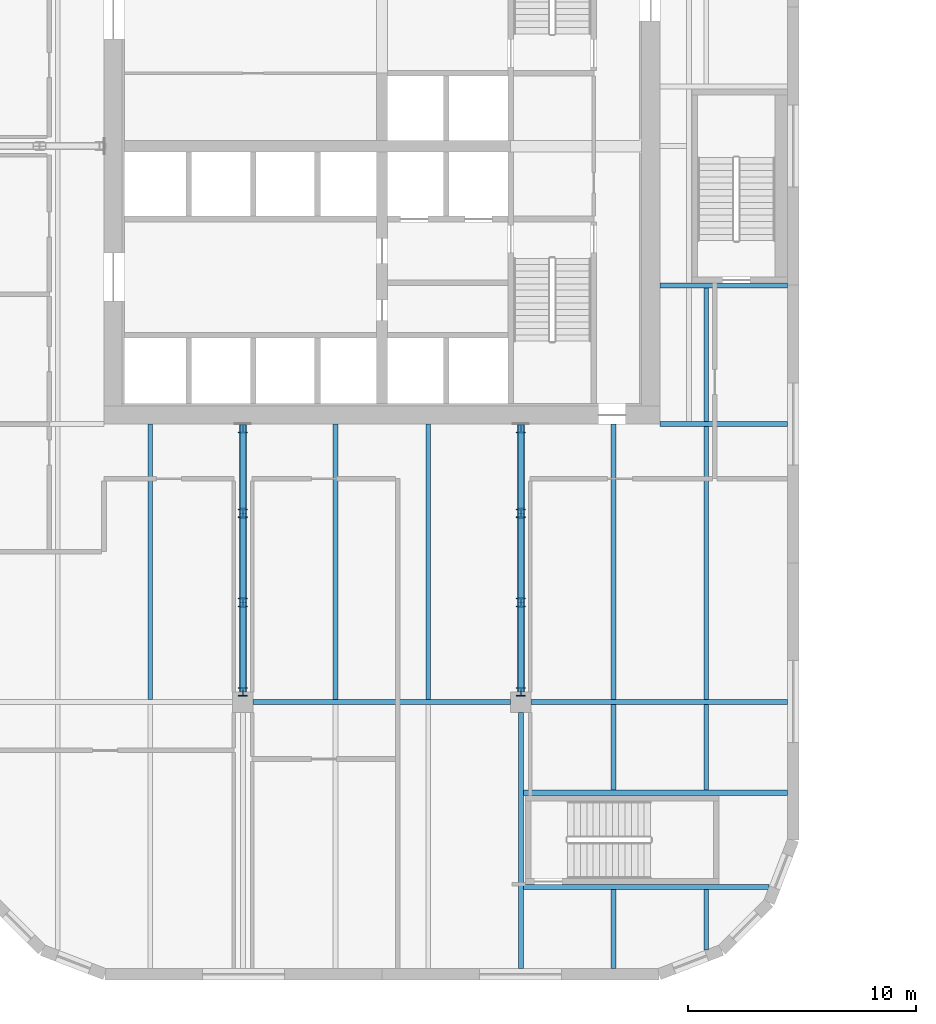
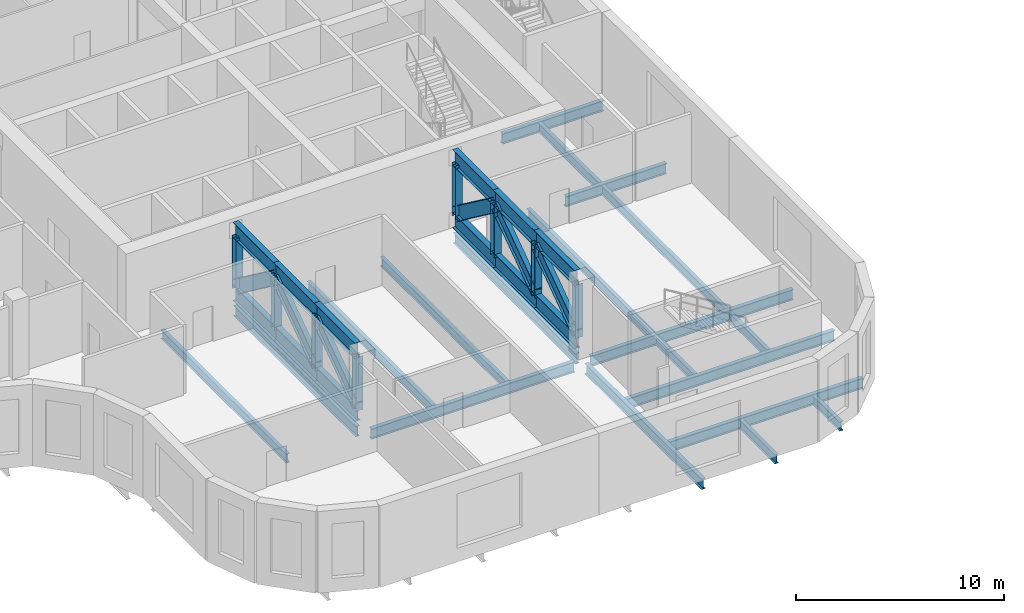
# One storey, part 2 of 21: 31 beams, 14 members.
"""IFC4 building model written with IfcOpenShell, lengths in metres."""

from ifc_helpers import new_model, si_unit, direction, frame, origin, origin_2d, place, context, subcontext, project, spatial, i_section, extrude, material, material_profile, profile_set, type_object, element, save


model = new_model("IFC4")

# Units and contexts
model_context = context("Model", 3, precision=1e-05, world=origin(), true_north=direction((0.0, 1.0)))
body_context = subcontext(model_context, "Body", "Model", "MODEL_VIEW")
ifc_project = project(units=[si_unit("LENGTHUNIT", "METRE"), si_unit("AREAUNIT", "SQUARE_METRE"), si_unit("VOLUMEUNIT", "CUBIC_METRE"), si_unit("PLANEANGLEUNIT", "RADIAN"), si_unit("MASSUNIT", "GRAM", prefix="KILO")], contexts=[model_context])

# Site, building, storey
site_placement = place(None, origin())
site = spatial("IfcSite", under=ifc_project, at=site_placement, CompositionType="ELEMENT")
building_placement = place(site_placement, origin())
building = spatial("IfcBuilding", under=site, at=building_placement, Name="Tessera Gate Towers", CompositionType="ELEMENT")
storey_placement = place(building_placement, frame((0.0, 0.0, 63.800048828125)))
storey = spatial("IfcBuildingStorey", under=building, at=storey_placement, Name="L15", CompositionType="ELEMENT", Elevation=63.800048828125)

# Beams
ifc_material_1 = material(Name="Steel 350W", Category="steel")
ifc_material_profile_1 = material_profile(ifc_material_1, i_section(OverallWidth=0.22900390625, OverallDepth=0.612060546875, WebThickness=0.011962890625, FlangeThickness=0.01953125, at=origin_2d()), Name="W610x125")
ifc_profile_set_1 = profile_set([ifc_material_profile_1], Name="Steel 350W")
beam_type_1 = type_object("IfcBeamType", Name="FLOOR GIRDER W610x125", PredefinedType="BEAM", material=ifc_profile_set_1)
beam_1_placement = place(storey_placement, frame((37.050048828125, 12.199951171875, -0.60595703125), z_axis=(1.0, 0.0, 0.0), x_axis=(0.0, 1.0, 0.0)))
element("IfcBeam", 1, at=beam_1_placement, inside=storey, type_object=beam_type_1, Name="T1-GD-L15-2110", PredefinedType="BEAM", context=body_context, shape_type="SweptSolid", body=[
    extrude(i_section(OverallWidth=0.22900390625, OverallDepth=0.612060546875, WebThickness=0.011962890625, FlangeThickness=0.01953125, at=origin_2d()), origin(), (0.0, 0.0, 1.0), 11.300048828125),
])
beam_2_placement = place(storey_placement, frame((49.25, 12.199951171875, -0.60595703125), z_axis=(1.0, 0.0, 0.0), x_axis=(0.0, 1.0, 0.0)))
element("IfcBeam", 2, at=beam_2_placement, inside=storey, type_object=beam_type_1, Name="T1-GD-L15-2111", PredefinedType="BEAM", context=body_context, shape_type="SweptSolid", body=[
    extrude(i_section(OverallWidth=0.22900390625, OverallDepth=0.612060546875, WebThickness=0.011962890625, FlangeThickness=0.01953125, at=origin_2d()), origin(), (0.0, 0.0, 1.0), 11.2509765625),
])
beam_3_placement = place(storey_placement, frame((54.90087890625, 24.39990234375, -0.60595703125), z_axis=(1.0, 0.0, 0.0), x_axis=(0.0, 1.0, 0.0)))
element("IfcBeam", 3, at=beam_3_placement, inside=storey, type_object=beam_type_1, Name="T1-GD-L15-2115", PredefinedType="BEAM", context=body_context, shape_type="SweptSolid", body=[
    extrude(i_section(OverallWidth=0.22900390625, OverallDepth=0.612060546875, WebThickness=0.011962890625, FlangeThickness=0.01953125, at=origin_2d()), origin(), (0.0, 0.0, 1.0), 5.60009765625),
])
beam_4_placement = place(storey_placement, frame((36.60009765625, 12.64990234375, -0.60595703125), z_axis=(0.0, 1.0, 0.0), x_axis=(-1.0, 0.0, 0.0)))
element("IfcBeam", 4, at=beam_4_placement, inside=storey, type_object=beam_type_1, Name="T1-GD-L15-2133", PredefinedType="BEAM", context=body_context, shape_type="SweptSolid", body=[
    extrude(i_section(OverallWidth=0.22900390625, OverallDepth=0.612060546875, WebThickness=0.011962890625, FlangeThickness=0.01953125, at=origin_2d()), origin(), (0.0, 0.0, 1.0), 11.75),
])
beam_5_placement = place(storey_placement, frame((48.800048828125, 0.4990234375, -0.60595703125), z_axis=(0.0, 1.0, 0.0), x_axis=(-1.0, 0.0, 0.0)))
element("IfcBeam", 5, at=beam_5_placement, inside=storey, type_object=beam_type_1, Name="T1-GD-L15-2134", PredefinedType="BEAM", context=body_context, shape_type="SweptSolid", body=[
    extrude(i_section(OverallWidth=0.22900390625, OverallDepth=0.612060546875, WebThickness=0.011962890625, FlangeThickness=0.01953125, at=origin_2d()), origin(), (0.0, 0.0, 1.0), 11.2509765625),
])
beam_6_placement = place(storey_placement, frame((48.800048828125, 12.64990234375, -0.60595703125), z_axis=(0.0, 1.0, 0.0), x_axis=(-1.0, 0.0, 0.0)))
element("IfcBeam", 6, at=beam_6_placement, inside=storey, type_object=beam_type_1, Name="T1-GD-L15-2135", PredefinedType="BEAM", context=body_context, shape_type="SweptSolid", body=[
    extrude(i_section(OverallWidth=0.22900390625, OverallDepth=0.612060546875, WebThickness=0.011962890625, FlangeThickness=0.01953125, at=origin_2d()), origin(), (0.0, 0.0, 1.0), 11.75),
])
beam_7_placement = place(storey_placement, frame((48.904541015625, 4.080078125, -0.60595703125), z_axis=(1.0, 0.0, 0.0), x_axis=(0.0, 1.0, 0.0)))
element("IfcBeam", 7, at=beam_7_placement, inside=storey, type_object=beam_type_1, Name="T1-GD-L15-2138", PredefinedType="BEAM", context=body_context, shape_type="SweptSolid", body=[
    extrude(i_section(OverallWidth=0.22900390625, OverallDepth=0.612060546875, WebThickness=0.011962890625, FlangeThickness=0.01953125, at=origin_2d()), origin(), (0.0, 0.0, 1.0), 10.78125),
])
beam_8_placement = place(storey_placement, frame((48.904541015625, 8.219970703125, -0.60595703125), z_axis=(1.0, 0.0, 0.0), x_axis=(0.0, 1.0, 0.0)))
element("IfcBeam", 8, at=beam_8_placement, inside=storey, type_object=beam_type_1, Name="T1-GD-L15-2139", PredefinedType="BEAM", context=body_context, shape_type="SweptSolid", body=[
    extrude(i_section(OverallWidth=0.22900390625, OverallDepth=0.612060546875, WebThickness=0.011962890625, FlangeThickness=0.01953125, at=origin_2d()), origin(), (0.0, 0.0, 1.0), 11.596435546875),
])
beam_9_placement = place(storey_placement, frame((54.89892578125, 30.47998046875, -0.60595703125), z_axis=(1.0, 0.0, 0.0), x_axis=(0.0, 1.0, 0.0)))
element("IfcBeam", 9, at=beam_9_placement, inside=storey, type_object=beam_type_1, Name="T1-GD-L15-2140", PredefinedType="BEAM", context=body_context, shape_type="SweptSolid", body=[
    extrude(i_section(OverallWidth=0.22900390625, OverallDepth=0.612060546875, WebThickness=0.011962890625, FlangeThickness=0.01953125, at=origin_2d()), origin(), (0.0, 0.0, 1.0), 5.60205078125),
])
ifc_material_2 = material(Name="Steel 350W", Category="steel")
ifc_material_profile_2 = material_profile(ifc_material_2, i_section(OverallWidth=0.208984375, OverallDepth=0.528076171875, WebThickness=0.009521484375, FlangeThickness=0.01318359375, at=origin_2d()), Name="W530x82")
ifc_profile_set_2 = profile_set([ifc_material_profile_2], Name="Steel 350W")
beam_type_2 = type_object("IfcBeamType", Name="FLOOR SECONDARY W530x82", PredefinedType="BEAM", material=ifc_profile_set_2)
for number, where, z_axis, x_axis, name in (
    (10, (32.533203125, 12.314453125, -0.56396484375), (0.0, 1.0, 0.0), (-1.0, 0.0, 0.0), "T1-BM-L15-2165"),
    (11, (40.666748046875, 12.314453125, -0.56396484375), (0.0, 1.0, 0.0), (-1.0, 0.0, 0.0), "T1-BM-L15-2169"),
    (12, (44.7333984375, 12.314453125, -0.56396484375), (0.0, 1.0, 0.0), (-1.0, 0.0, 0.0), "T1-BM-L15-2172"),
):
    element("IfcBeam", number, at=place(storey_placement, frame(where, z_axis=z_axis, x_axis=x_axis)), inside=storey, type_object=beam_type_2, Name=name, PredefinedType="BEAM", context=body_context, shape_type="SweptSolid", body=[
        extrude(i_section(OverallWidth=0.208984375, OverallDepth=0.528076171875, WebThickness=0.009521484375, FlangeThickness=0.01318359375, at=origin_2d()), origin(), (0.0, 0.0, 1.0), 12.08544921875),
    ])
beam_10_placement = place(storey_placement, frame((52.86669921875, 0.5, -0.56396484375), z_axis=(0.0, 1.0, 0.0), x_axis=(-1.0, 0.0, 0.0)))
element("IfcBeam", 13, at=beam_10_placement, inside=storey, type_object=beam_type_2, Name="T1-BM-L15-2175", PredefinedType="BEAM", context=body_context, shape_type="SweptSolid", body=[
    extrude(i_section(OverallWidth=0.208984375, OverallDepth=0.528076171875, WebThickness=0.009521484375, FlangeThickness=0.01318359375, at=origin_2d()), origin(), (0.0, 0.0, 1.0), 3.465576171875),
])
beam_11_placement = place(storey_placement, frame((52.86669921875, 8.33447265625, -0.56396484375), z_axis=(0.0, 1.0, 0.0), x_axis=(-1.0, 0.0, 0.0)))
element("IfcBeam", 14, at=beam_11_placement, inside=storey, type_object=beam_type_2, Name="T1-BM-L15-2176", PredefinedType="BEAM", context=body_context, shape_type="SweptSolid", body=[
    extrude(i_section(OverallWidth=0.208984375, OverallDepth=0.528076171875, WebThickness=0.009521484375, FlangeThickness=0.01318359375, at=origin_2d()), origin(), (0.0, 0.0, 1.0), 3.7509765625),
])
beam_12_placement = place(storey_placement, frame((52.86669921875, 12.314453125, -0.56396484375), z_axis=(0.0, 1.0, 0.0), x_axis=(-1.0, 0.0, 0.0)))
element("IfcBeam", 15, at=beam_12_placement, inside=storey, type_object=beam_type_2, Name="T1-BM-L15-2177", PredefinedType="BEAM", context=body_context, shape_type="SweptSolid", body=[
    extrude(i_section(OverallWidth=0.208984375, OverallDepth=0.528076171875, WebThickness=0.009521484375, FlangeThickness=0.01318359375, at=origin_2d()), origin(), (0.0, 0.0, 1.0), 12.08544921875),
])
beam_13_placement = place(storey_placement, frame((56.933349609375, 1.3203125, -0.56396484375), z_axis=(0.0, 1.0, 0.0), x_axis=(-1.0, 0.0, 0.0)))
element("IfcBeam", 16, at=beam_13_placement, inside=storey, type_object=beam_type_2, Name="T1-BM-L15-2179", PredefinedType="BEAM", context=body_context, shape_type="SweptSolid", body=[
    extrude(i_section(OverallWidth=0.208984375, OverallDepth=0.528076171875, WebThickness=0.009521484375, FlangeThickness=0.01318359375, at=origin_2d()), origin(), (0.0, 0.0, 1.0), 2.645263671875),
])
beam_14_placement = place(storey_placement, frame((56.933349609375, 8.33447265625, -0.56396484375), z_axis=(0.0, 1.0, 0.0), x_axis=(-1.0, 0.0, 0.0)))
element("IfcBeam", 17, at=beam_14_placement, inside=storey, type_object=beam_type_2, Name="T1-BM-L15-2180", PredefinedType="BEAM", context=body_context, shape_type="SweptSolid", body=[
    extrude(i_section(OverallWidth=0.208984375, OverallDepth=0.528076171875, WebThickness=0.009521484375, FlangeThickness=0.01318359375, at=origin_2d()), origin(), (0.0, 0.0, 1.0), 3.7509765625),
])
beam_15_placement = place(storey_placement, frame((56.933349609375, 12.314453125, -0.56396484375), z_axis=(0.0, 1.0, 0.0), x_axis=(-1.0, 0.0, 0.0)))
element("IfcBeam", 18, at=beam_15_placement, inside=storey, type_object=beam_type_2, Name="T1-BM-L15-2181", PredefinedType="BEAM", context=body_context, shape_type="SweptSolid", body=[
    extrude(i_section(OverallWidth=0.208984375, OverallDepth=0.528076171875, WebThickness=0.009521484375, FlangeThickness=0.01318359375, at=origin_2d()), origin(), (0.0, 0.0, 1.0), 11.970947265625),
])
beam_16_placement = place(storey_placement, frame((56.933349609375, 24.514404296875, -0.56396484375), z_axis=(0.0, 1.0, 0.0), x_axis=(-1.0, 0.0, 0.0)))
element("IfcBeam", 19, at=beam_16_placement, inside=storey, type_object=beam_type_2, Name="T1-BM-L15-2182", PredefinedType="BEAM", context=body_context, shape_type="SweptSolid", body=[
    extrude(i_section(OverallWidth=0.208984375, OverallDepth=0.528076171875, WebThickness=0.009521484375, FlangeThickness=0.01318359375, at=origin_2d()), origin(), (0.0, 0.0, 1.0), 5.85107421875),
])

# Members
ifc_material_3 = material(Name="Steel 350W", Category="steel")
ifc_material_profile_3 = material_profile(ifc_material_3, i_section(OverallWidth=0.26806640625, OverallDepth=0.77001953125, WebThickness=0.015625, FlangeThickness=0.025390625, at=origin_2d()), Name="W760x196")
ifc_profile_set_3 = profile_set([ifc_material_profile_3], Name="Steel 350W")
member_type_1 = type_object("IfcMemberType", Name="OUTRIGGER BRACE W760x196", PredefinedType="BRACE", material=ifc_profile_set_3)
member_1_placement = place(storey_placement, frame((36.60009765625, 24.202880859375, 0.9150390625), z_axis=(0.0, -0.802023257453, 0.597292804665), x_axis=(1.0, 0.0, 0.0)))
element("IfcMember", 20, at=member_1_placement, inside=storey, type_object=member_type_1, Name="Outrigger truss T1 L15 S1a brace D1", PredefinedType="BRACE", context=body_context, shape_type="SweptSolid", body=[
    extrude(i_section(OverallWidth=0.26806640625, OverallDepth=0.77001953125, WebThickness=0.015625, FlangeThickness=0.025390625, at=origin_2d()), origin(), (0.0, 0.0, 1.0), 4.6376953125),
])
for number, where, z_axis, x_axis, name in (
    (21, (36.60009765625, 16.566650390625, 0.9150390625), (0.0, 0.816451334598, 0.577414251845), (-1.0, 0.0, 0.0), "Outrigger truss T1 L15 S1a brace D2"),
    (22, (36.60009765625, 12.64990234375, 0.9150390625), (0.0, 0.816451334598, 0.577414251845), (-1.0, 0.0, 0.0), "Outrigger truss T1 L15 S1a brace D3"),
):
    element("IfcMember", number, at=place(storey_placement, frame(where, z_axis=z_axis, x_axis=x_axis)), inside=storey, type_object=member_type_1, Name=name, PredefinedType="BRACE", context=body_context, shape_type="SweptSolid", body=[
        extrude(i_section(OverallWidth=0.26806640625, OverallDepth=0.77001953125, WebThickness=0.015625, FlangeThickness=0.025390625, at=origin_2d()), origin(), (0.0, 0.0, 1.0), 4.79736328125),
    ])
member_2_placement = place(storey_placement, frame((48.800048828125, 24.202880859375, 0.9150390625), z_axis=(0.0, -0.802023257453, 0.597292804665), x_axis=(1.0, 0.0, 0.0)))
element("IfcMember", 23, at=member_2_placement, inside=storey, type_object=member_type_1, Name="Outrigger truss T1 L15 S2a brace D1", PredefinedType="BRACE", context=body_context, shape_type="SweptSolid", body=[
    extrude(i_section(OverallWidth=0.26806640625, OverallDepth=0.77001953125, WebThickness=0.015625, FlangeThickness=0.025390625, at=origin_2d()), origin(), (0.0, 0.0, 1.0), 4.6376953125),
])
for number, where, z_axis, x_axis, name in (
    (24, (48.800048828125, 16.566650390625, 0.9150390625), (0.0, 0.816451334598, 0.577414251845), (-1.0, 0.0, 0.0), "Outrigger truss T1 L15 S2a brace D2"),
    (25, (48.800048828125, 12.64990234375, 0.9150390625), (0.0, 0.816451334598, 0.577414251845), (-1.0, 0.0, 0.0), "Outrigger truss T1 L15 S2a brace D3"),
):
    element("IfcMember", number, at=place(storey_placement, frame(where, z_axis=z_axis, x_axis=x_axis)), inside=storey, type_object=member_type_1, Name=name, PredefinedType="BRACE", context=body_context, shape_type="SweptSolid", body=[
        extrude(i_section(OverallWidth=0.26806640625, OverallDepth=0.77001953125, WebThickness=0.015625, FlangeThickness=0.025390625, at=origin_2d()), origin(), (0.0, 0.0, 1.0), 4.79736328125),
    ])

# Beams
ifc_material_4 = material(Name="Steel 350W", Category="steel")
ifc_material_profile_4 = material_profile(ifc_material_4, i_section(OverallWidth=0.304931640625, OverallDepth=0.9150390625, WebThickness=0.01611328125, FlangeThickness=0.02587890625, at=origin_2d()), Name="W920x238")
ifc_profile_set_4 = profile_set([ifc_material_profile_4], Name="Steel 350W")
beam_type_3 = type_object("IfcBeamType", Name="OUTRIGGER CHORD W920x238", PredefinedType="BEAM", material=ifc_profile_set_4)
for number, where, z_axis, x_axis, name in (
    (26, (36.60009765625, 24.39990234375, 4.142333984375), (0.0, -1.0, 0.0), (1.0, 0.0, 0.0), "Outrigger truss T1 L15 S1a top chord TC1"),
    (27, (36.60009765625, 24.39990234375, 0.45751953125), (0.0, -1.0, 0.0), (1.0, 0.0, 0.0), "Outrigger truss T1 L15 S1a bottom chord BC1"),
):
    element("IfcBeam", number, at=place(storey_placement, frame(where, z_axis=z_axis, x_axis=x_axis)), inside=storey, type_object=beam_type_3, Name=name, PredefinedType="BEAM", context=body_context, shape_type="SweptSolid", body=[
        extrude(i_section(OverallWidth=0.304931640625, OverallDepth=0.9150390625, WebThickness=0.01611328125, FlangeThickness=0.02587890625, at=origin_2d()), origin(), (0.0, 0.0, 1.0), 3.91650390625),
    ])
for number, where, z_axis, x_axis, name in (
    (28, (36.60009765625, 20.4833984375, 4.142333984375), (0.0, -1.0, 0.0), (1.0, 0.0, 0.0), "Outrigger truss T1 L15 S1a top chord TC2"),
    (29, (36.60009765625, 20.4833984375, 0.45751953125), (0.0, -1.0, 0.0), (1.0, 0.0, 0.0), "Outrigger truss T1 L15 S1a bottom chord BC2"),
    (30, (36.60009765625, 16.566650390625, 4.142333984375), (0.0, -1.0, 0.0), (1.0, 0.0, 0.0), "Outrigger truss T1 L15 S1a top chord TC3"),
    (31, (36.60009765625, 16.566650390625, 0.45751953125), (0.0, -1.0, 0.0), (1.0, 0.0, 0.0), "Outrigger truss T1 L15 S1a bottom chord BC3"),
):
    element("IfcBeam", number, at=place(storey_placement, frame(where, z_axis=z_axis, x_axis=x_axis)), inside=storey, type_object=beam_type_3, Name=name, PredefinedType="BEAM", context=body_context, shape_type="SweptSolid", body=[
        extrude(i_section(OverallWidth=0.304931640625, OverallDepth=0.9150390625, WebThickness=0.01611328125, FlangeThickness=0.02587890625, at=origin_2d()), origin(), (0.0, 0.0, 1.0), 3.916748046875),
    ])
for number, where, z_axis, x_axis, name in (
    (32, (48.800048828125, 24.39990234375, 4.142333984375), (0.0, -1.0, 0.0), (1.0, 0.0, 0.0), "Outrigger truss T1 L15 S2a top chord TC1"),
    (33, (48.800048828125, 24.39990234375, 0.45751953125), (0.0, -1.0, 0.0), (1.0, 0.0, 0.0), "Outrigger truss T1 L15 S2a bottom chord BC1"),
):
    element("IfcBeam", number, at=place(storey_placement, frame(where, z_axis=z_axis, x_axis=x_axis)), inside=storey, type_object=beam_type_3, Name=name, PredefinedType="BEAM", context=body_context, shape_type="SweptSolid", body=[
        extrude(i_section(OverallWidth=0.304931640625, OverallDepth=0.9150390625, WebThickness=0.01611328125, FlangeThickness=0.02587890625, at=origin_2d()), origin(), (0.0, 0.0, 1.0), 3.91650390625),
    ])
for number, where, z_axis, x_axis, name in (
    (34, (48.800048828125, 20.4833984375, 4.142333984375), (0.0, -1.0, 0.0), (1.0, 0.0, 0.0), "Outrigger truss T1 L15 S2a top chord TC2"),
    (35, (48.800048828125, 20.4833984375, 0.45751953125), (0.0, -1.0, 0.0), (1.0, 0.0, 0.0), "Outrigger truss T1 L15 S2a bottom chord BC2"),
    (36, (48.800048828125, 16.566650390625, 4.142333984375), (0.0, -1.0, 0.0), (1.0, 0.0, 0.0), "Outrigger truss T1 L15 S2a top chord TC3"),
    (37, (48.800048828125, 16.566650390625, 0.45751953125), (0.0, -1.0, 0.0), (1.0, 0.0, 0.0), "Outrigger truss T1 L15 S2a bottom chord BC3"),
):
    element("IfcBeam", number, at=place(storey_placement, frame(where, z_axis=z_axis, x_axis=x_axis)), inside=storey, type_object=beam_type_3, Name=name, PredefinedType="BEAM", context=body_context, shape_type="SweptSolid", body=[
        extrude(i_section(OverallWidth=0.304931640625, OverallDepth=0.9150390625, WebThickness=0.01611328125, FlangeThickness=0.02587890625, at=origin_2d()), origin(), (0.0, 0.0, 1.0), 3.916748046875),
    ])

# Members
ifc_material_5 = material(Name="Steel 350W", Category="steel")
ifc_material_profile_5 = material_profile(ifc_material_5, i_section(OverallWidth=0.39404296875, OverallDepth=0.375, WebThickness=0.017333984375, FlangeThickness=0.027587890625, at=origin_2d()), Name="W360x216")
ifc_profile_set_5 = profile_set([ifc_material_profile_5], Name="Steel 350W")
member_type_2 = type_object("IfcMemberType", Name="OUTRIGGER POST W360x216", PredefinedType="POST", material=ifc_profile_set_5)
for number, where, z_axis, x_axis, name in (
    (38, (36.60009765625, 24.202880859375, 0.732421875), (0.0, 0.0, 1.0), (1.0, 0.0, 0.0), "Outrigger truss T1 L15 S1a post V0"),
    (39, (36.60009765625, 20.4833984375, 0.732421875), (0.0, 0.0, 1.0), (1.0, 0.0, 0.0), "Outrigger truss T1 L15 S1a post V1"),
    (40, (36.60009765625, 16.566650390625, 0.732421875), (0.0, 0.0, 1.0), (1.0, 0.0, 0.0), "Outrigger truss T1 L15 S1a post V2"),
    (41, (36.60009765625, 12.64990234375, 0.732421875), (0.0, 0.0, 1.0), (1.0, 0.0, 0.0), "Outrigger truss T1 L15 S1a post V3"),
    (42, (48.800048828125, 24.202880859375, 0.732421875), (0.0, 0.0, 1.0), (1.0, 0.0, 0.0), "Outrigger truss T1 L15 S2a post V0"),
    (43, (48.800048828125, 20.4833984375, 0.732421875), (0.0, 0.0, 1.0), (1.0, 0.0, 0.0), "Outrigger truss T1 L15 S2a post V1"),
    (44, (48.800048828125, 16.566650390625, 0.732421875), (0.0, 0.0, 1.0), (1.0, 0.0, 0.0), "Outrigger truss T1 L15 S2a post V2"),
    (45, (48.800048828125, 12.64990234375, 0.732421875), (0.0, 0.0, 1.0), (1.0, 0.0, 0.0), "Outrigger truss T1 L15 S2a post V3"),
):
    element("IfcMember", number, at=place(storey_placement, frame(where, z_axis=z_axis, x_axis=x_axis)), inside=storey, type_object=member_type_2, Name=name, PredefinedType="POST", context=body_context, shape_type="SweptSolid", body=[
        extrude(i_section(OverallWidth=0.39404296875, OverallDepth=0.375, WebThickness=0.017333984375, FlangeThickness=0.027587890625, at=origin_2d()), origin(), (0.0, 0.0, 1.0), 3.135009765625),
    ])

save(model, "model.ifc")
